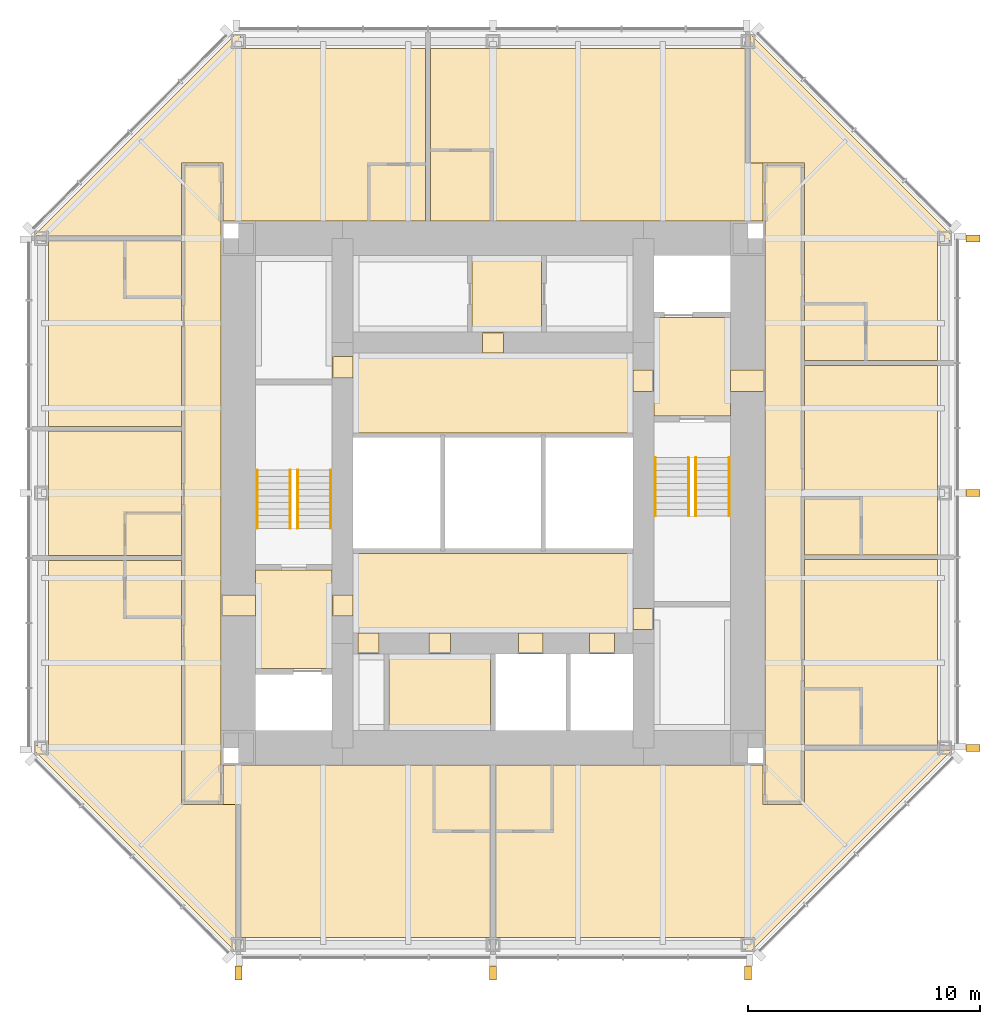
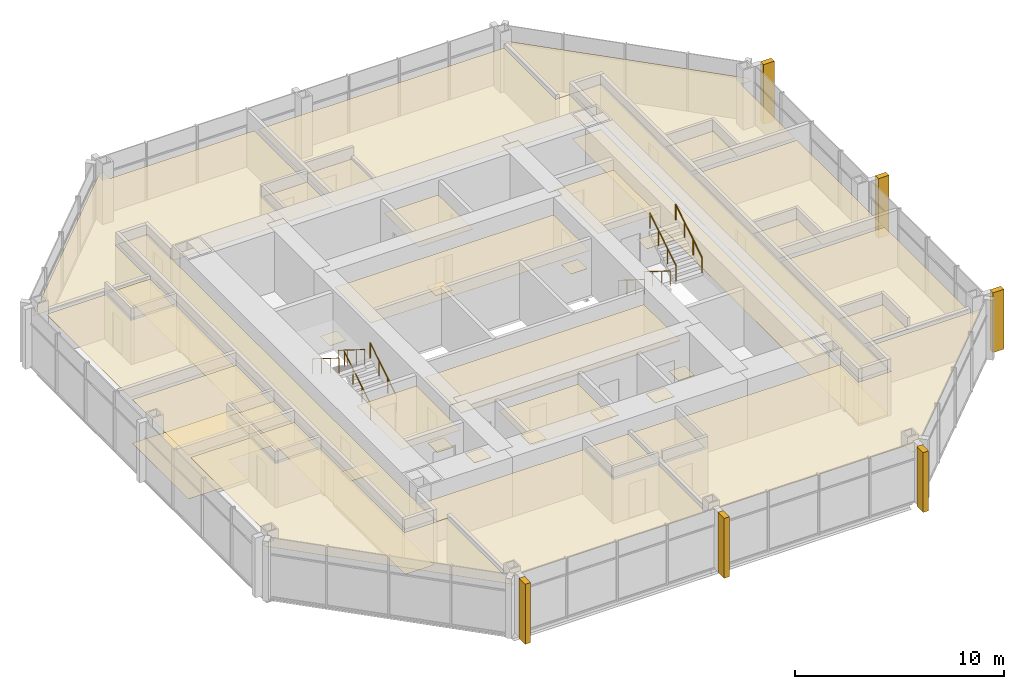
# One storey, part 11 of 11: 48 coverings, 8 railings.
"""IFC4 building model written with IfcOpenShell, lengths in metres."""

from ifc_helpers import new_model, si_unit, direction, frame, origin, origin_2d, place, context, subcontext, project, spatial, polyline, rectangle, circle, outline, extrude, material, layer, layer_set, type_object, element, save


model = new_model("IFC4")

# Units and contexts
model_context = context("Model", 3, precision=1e-05, world=origin(), true_north=direction((0.0, 1.0)))
body_context = subcontext(model_context, "Body", "Model", "MODEL_VIEW")
ifc_project = project(units=[si_unit("LENGTHUNIT", "METRE"), si_unit("AREAUNIT", "SQUARE_METRE"), si_unit("VOLUMEUNIT", "CUBIC_METRE"), si_unit("PLANEANGLEUNIT", "RADIAN"), si_unit("MASSUNIT", "GRAM", prefix="KILO")], contexts=[model_context])

# Site, building, storey
site_placement = place(None, origin())
site = spatial("IfcSite", under=ifc_project, at=site_placement, CompositionType="ELEMENT")
building_placement = place(site_placement, origin())
building = spatial("IfcBuilding", under=site, at=building_placement, Name="Trevanion Tower", CompositionType="ELEMENT")
storey_placement = place(building_placement, frame((0.0, 0.0, 232.699951171875)))
storey = spatial("IfcBuildingStorey", under=building, at=storey_placement, Name="L56", CompositionType="ELEMENT", Elevation=232.699951171875)

# Coverings
ifc_material_1 = material(Name="Fibrous plaster coffers on suspended steel grid", Category="steel")
ifc_layer_1 = layer(ifc_material_1, 0.050048828125)
ifc_layer_set_1 = layer_set([ifc_layer_1], Name="CL1 coffered fibrous plaster ceiling 50")
covering_type_1 = type_object("IfcCoveringType", Name="CL1 coffered fibrous plaster ceiling 50", PredefinedType="CEILING", material=ifc_layer_set_1)
covering_1_placement = place(storey_placement, frame((0.0, 0.0, 2.429931640625)))
element("IfcCovering", 1, at=covering_1_placement, inside=storey, type_object=covering_type_1, Name="CL1 L56-LBS", PredefinedType="CEILING", context=body_context, shape_type="SweptSolid", body=[
    extrude(outline(polyline([(6.050048828125, -6.050048828125), (6.050048828125, -2.60009765625), (-6.050048828125, -2.60009765625), (-6.050048828125, -6.050048828125), (6.050048828125, -6.050048828125)])), origin(), (0.0, 0.0, 1.0), 0.050048828125),
])
ifc_material_2 = material(Name="Mineral fibre acoustic tiles in exposed grid", Category="mineral fibre")
ifc_layer_2 = layer(ifc_material_2, 0.02001953125)
ifc_layer_set_2 = layer_set([ifc_layer_2], Name="CL2 acoustic tile ceiling 20")
covering_type_2 = type_object("IfcCoveringType", Name="CL2 acoustic tile ceiling 20", PredefinedType="CEILING", material=ifc_layer_set_2)
covering_2_placement = place(storey_placement, frame((0.0, 0.0, 2.4599609375)))
element("IfcCovering", 2, at=covering_2_placement, inside=storey, type_object=covering_type_2, Name="CL2 L56-LBN", PredefinedType="CEILING", context=body_context, shape_type="SweptSolid", body=[
    extrude(outline(polyline([(6.050048828125, 2.60009765625), (6.050048828125, 6.050048828125), (-6.050048828125, 6.050048828125), (-6.050048828125, 2.60009765625), (6.050048828125, 2.60009765625)])), origin(), (0.0, 0.0, 1.0), 0.02001953125),
])
covering_3_placement = place(storey_placement, frame((0.0, 0.0, 2.4599609375)))
element("IfcCovering", 3, at=covering_3_placement, inside=storey, type_object=covering_type_2, Name="CL2 L56-HKC", PredefinedType="CEILING", context=body_context, shape_type="SweptSolid", body=[
    extrude(outline(polyline([(2.10009765625, 6.949951171875), (2.10009765625, 10.25), (-0.89990234375, 10.25), (-0.89990234375, 6.949951171875), (2.10009765625, 6.949951171875)])), origin(), (0.0, 0.0, 1.0), 0.02001953125),
])
covering_4_placement = place(storey_placement, frame((0.0, 0.0, 2.633056640625)))
element("IfcCovering", 4, at=covering_4_placement, inside=storey, type_object=covering_type_2, Name="CL2 L56-CO1", PredefinedType="CEILING", context=body_context, shape_type="SweptSolid", body=[
    extrude(outline(polyline([(-11.75, 14.14990234375), (-11.75, -13.35009765625), (-13.35009765625, -13.35009765625), (-13.35009765625, 14.14990234375), (-11.75, 14.14990234375)])), origin(), (0.0, 0.0, 1.0), 0.02001953125),
])
covering_5_placement = place(storey_placement, frame((0.0, 0.0, 2.633056640625)))
element("IfcCovering", 5, at=covering_5_placement, inside=storey, type_object=covering_type_2, Name="CL2 L56-CO2", PredefinedType="CEILING", context=body_context, shape_type="SweptSolid", body=[
    extrude(outline(polyline([(11.75, -13.35009765625), (11.75, 14.14990234375), (13.35009765625, 14.14990234375), (13.35009765625, -13.35009765625), (11.75, -13.35009765625)])), origin(), (0.0, 0.0, 1.0), 0.02001953125),
])
ifc_material_3 = material(Name="Gypsum plasterboard on suspended metal furring", Category="gypsum")
ifc_layer_3 = layer(ifc_material_3, 0.012939453125)
ifc_layer_set_3 = layer_set([ifc_layer_3], Name="CL3 plasterboard ceiling 13")
covering_type_3 = type_object("IfcCoveringType", Name="CL3 plasterboard ceiling 13", PredefinedType="CEILING", material=ifc_layer_set_3)
covering_6_placement = place(storey_placement, frame((0.0, 0.0, 2.699951171875)))
element("IfcCovering", 6, at=covering_6_placement, inside=storey, type_object=covering_type_3, Name="CL3 L56-FV1", PredefinedType="CEILING", context=body_context, shape_type="SweptSolid", body=[
    extrude(outline(polyline([(10.25, 3.324951171875), (10.25, 7.574951171875), (6.949951171875, 7.574951171875), (6.949951171875, 3.324951171875), (10.25, 3.324951171875)])), origin(), (0.0, 0.0, 1.0), 0.01318359375),
])
covering_7_placement = place(storey_placement, frame((0.0, 0.0, 2.699951171875)))
element("IfcCovering", 7, at=covering_7_placement, inside=storey, type_object=covering_type_3, Name="CL3 L56-FV2", PredefinedType="CEILING", context=body_context, shape_type="SweptSolid", body=[
    extrude(outline(polyline([(-10.25, -3.324951171875), (-10.25, -7.574951171875), (-6.949951171875, -7.574951171875), (-6.949951171875, -3.324951171875), (-10.25, -3.324951171875)])), origin(), (0.0, 0.0, 1.0), 0.01318359375),
])
covering_8_placement = place(storey_placement, frame((0.0, 0.0, 2.551025390625)))
element("IfcCovering", 8, at=covering_8_placement, inside=storey, type_object=covering_type_3, Name="CL3 L56-GJ", PredefinedType="CEILING", context=body_context, shape_type="SweptSolid", body=[
    extrude(outline(polyline([(13.449951171875, -2.875), (19.199951171875, -2.875), (19.199951171875, -10.89990234375), (15.89990234375, -10.89990234375), (15.89990234375, -8.449951171875), (13.449951171875, -8.449951171875), (13.449951171875, -2.875)])), origin(), (0.0, 0.0, 1.0), 0.012939453125),
])
covering_9_placement = place(storey_placement, frame((0.0, 0.0, 2.551025390625)))
element("IfcCovering", 9, at=covering_9_placement, inside=storey, type_object=covering_type_3, Name="CL3 L56-GJ2", PredefinedType="CEILING", context=body_context, shape_type="SweptSolid", body=[
    extrude(outline(polyline([(13.449951171875, 5.513916015625), (19.199951171875, 5.513916015625), (19.199951171875, -2.675048828125), (15.89990234375, -2.675048828125), (15.89990234375, -0.22509765625), (13.449951171875, -0.22509765625), (13.449951171875, 5.513916015625)])), origin(), (0.0, 0.0, 1.0), 0.012939453125),
])
covering_10_placement = place(storey_placement, frame((0.0, 0.0, 2.551025390625)))
element("IfcCovering", 10, at=covering_10_placement, inside=storey, type_object=covering_type_3, Name="CL3 L56-GA", PredefinedType="CEILING", context=body_context, shape_type="SweptSolid", body=[
    extrude(outline(polyline([(11.10009765625, 14.25), (11.10009765625, 19.800048828125), (11.124267578125, 19.800048828125), (19.800048828125, 11.124267578125), (19.800048828125, 10.89990234375), (19.199951171875, 10.89990234375), (19.199951171875, 5.714111328125), (16.10009765625, 5.714111328125), (16.10009765625, 8.1640625), (13.449951171875, 8.1640625), (13.449951171875, 14.25), (11.10009765625, 14.25)])), origin(), (0.0, 0.0, 1.0), 0.012939453125),
])
covering_11_placement = place(storey_placement, frame((0.0, 0.0, 2.551025390625)))
element("IfcCovering", 11, at=covering_11_placement, inside=storey, type_object=covering_type_3, Name="CL3 L56-GY", PredefinedType="CEILING", context=body_context, shape_type="SweptSolid", body=[
    extrude(outline(polyline([(-2.70703125, 19.199951171875), (10.89990234375, 19.199951171875), (10.89990234375, 14.25), (11.64990234375, 14.25), (11.64990234375, 11.75), (-0.056884765625, 11.75), (-0.056884765625, 14.800048828125), (-2.70703125, 14.800048828125), (-2.70703125, 19.199951171875)])), origin(), (0.0, 0.0, 1.0), 0.012939453125),
])
covering_12_placement = place(storey_placement, frame((0.0, 0.0, 2.551025390625)))
element("IfcCovering", 12, at=covering_12_placement, inside=storey, type_object=covering_type_3, Name="CL3 L56-GJ3", PredefinedType="CEILING", context=body_context, shape_type="SweptSolid", body=[
    extrude(outline(polyline([(-13.449951171875, 11.10009765625), (-19.800048828125, 11.10009765625), (-19.800048828125, 11.124267578125), (-11.124267578125, 19.800048828125), (-10.89990234375, 19.800048828125), (-10.89990234375, 19.199951171875), (-2.906982421875, 19.199951171875), (-2.906982421875, 14.199951171875), (-5.35693359375, 14.199951171875), (-5.35693359375, 11.75), (-11.64990234375, 11.75), (-11.64990234375, 14.25), (-13.449951171875, 14.25), (-13.449951171875, 11.10009765625)])), origin(), (0.0, 0.0, 1.0), 0.012939453125),
])
covering_13_placement = place(storey_placement, frame((0.0, 0.0, 2.551025390625)))
element("IfcCovering", 13, at=covering_13_placement, inside=storey, type_object=covering_type_3, Name="CL3 L56-GJ4", PredefinedType="CEILING", context=body_context, shape_type="SweptSolid", body=[
    extrude(outline(polyline([(-13.449951171875, 2.875), (-19.199951171875, 2.875), (-19.199951171875, 10.89990234375), (-15.89990234375, 10.89990234375), (-15.89990234375, 8.449951171875), (-13.449951171875, 8.449951171875), (-13.449951171875, 2.875)])), origin(), (0.0, 0.0, 1.0), 0.012939453125),
])
covering_14_placement = place(storey_placement, frame((0.0, 0.0, 2.551025390625)))
element("IfcCovering", 14, at=covering_14_placement, inside=storey, type_object=covering_type_3, Name="CL3 L56-GR", PredefinedType="CEILING", context=body_context, shape_type="SweptSolid", body=[
    extrude(outline(polyline([(-13.449951171875, -0.85693359375), (-15.89990234375, -0.85693359375), (-15.89990234375, -2.70703125), (-19.199951171875, -2.70703125), (-19.199951171875, 2.675048828125), (-13.449951171875, 2.675048828125), (-13.449951171875, -0.85693359375)])), origin(), (0.0, 0.0, 1.0), 0.012939453125),
])
covering_15_placement = place(storey_placement, frame((0.0, 0.0, 2.551025390625)))
element("IfcCovering", 15, at=covering_15_placement, inside=storey, type_object=covering_type_3, Name="CL3 L56-GJ5", PredefinedType="CEILING", context=body_context, shape_type="SweptSolid", body=[
    extrude(outline(polyline([(-11.10009765625, -13.449951171875), (-11.10009765625, -19.800048828125), (-11.124267578125, -19.800048828125), (-19.800048828125, -11.124267578125), (-19.800048828125, -10.89990234375), (-19.199951171875, -10.89990234375), (-19.199951171875, -2.906982421875), (-15.89990234375, -2.906982421875), (-15.89990234375, -5.35693359375), (-13.449951171875, -5.35693359375), (-13.449951171875, -13.449951171875), (-11.10009765625, -13.449951171875)])), origin(), (0.0, 0.0, 1.0), 0.012939453125),
])
covering_16_placement = place(storey_placement, frame((0.0, 0.0, 2.551025390625)))
element("IfcCovering", 16, at=covering_16_placement, inside=storey, type_object=covering_type_3, Name="CL3 L56-GB", PredefinedType="CEILING", context=body_context, shape_type="SweptSolid", body=[
    extrude(outline(polyline([(-0.10009765625, -19.199951171875), (-10.89990234375, -19.199951171875), (-10.89990234375, -13.449951171875), (-11.64990234375, -13.449951171875), (-11.64990234375, -11.75), (-2.550048828125, -11.75), (-2.550048828125, -14.60009765625), (-0.10009765625, -14.60009765625), (-0.10009765625, -19.199951171875)])), origin(), (0.0, 0.0, 1.0), 0.012939453125),
])
covering_17_placement = place(storey_placement, frame((0.0, 0.0, 2.551025390625)))
element("IfcCovering", 17, at=covering_17_placement, inside=storey, type_object=covering_type_3, Name="CL3 L56-GB2", PredefinedType="CEILING", context=body_context, shape_type="SweptSolid", body=[
    extrude(outline(polyline([(13.449951171875, -11.10009765625), (19.800048828125, -11.10009765625), (19.800048828125, -11.124267578125), (11.124267578125, -19.800048828125), (10.89990234375, -19.800048828125), (10.89990234375, -19.199951171875), (0.10009765625, -19.199951171875), (0.10009765625, -14.60009765625), (2.550048828125, -14.60009765625), (2.550048828125, -11.75), (11.64990234375, -11.75), (11.64990234375, -13.449951171875), (13.449951171875, -13.449951171875), (13.449951171875, -11.10009765625)])), origin(), (0.0, 0.0, 1.0), 0.012939453125),
])
ifc_material_4 = material(Name="Moisture-resistant gypsum board on suspended metal furring", Category="gypsum")
ifc_layer_4 = layer(ifc_material_4, 0.01611328125)
ifc_layer_set_4 = layer_set([ifc_layer_4], Name="CL4 moisture-resistant board ceiling 16")
covering_type_4 = type_object("IfcCoveringType", Name="CL4 moisture-resistant board ceiling 16", PredefinedType="CEILING", material=ifc_layer_set_4)
covering_18_placement = place(storey_placement, frame((0.0, 0.0, 2.60009765625)))
element("IfcCovering", 18, at=covering_18_placement, inside=storey, type_object=covering_type_4, Name="CL4 L56-SI2", PredefinedType="CEILING", context=body_context, shape_type="SweptSolid", body=[
    extrude(outline(polyline([(-0.10009765625, -10.25), (-0.10009765625, -6.949951171875), (-4.5, -6.949951171875), (-4.5, -10.25), (-0.10009765625, -10.25)])), origin(), (0.0, 0.0, 1.0), 0.015869140625),
])
covering_19_placement = place(storey_placement, frame((0.0, 0.0, 2.60009765625)))
element("IfcCovering", 19, at=covering_19_placement, inside=storey, type_object=covering_type_4, Name="CL4 L56-EN", PredefinedType="CEILING", context=body_context, shape_type="SweptSolid", body=[
    extrude(outline(polyline([(15.85009765625, -10.89990234375), (15.85009765625, -8.5), (13.449951171875, -8.5), (13.449951171875, -10.89990234375), (15.85009765625, -10.89990234375)])), origin(), (0.0, 0.0, 1.0), 0.015869140625),
])
covering_20_placement = place(storey_placement, frame((0.0, 0.0, 2.60009765625)))
element("IfcCovering", 20, at=covering_20_placement, inside=storey, type_object=covering_type_4, Name="CL4 L56-EN2", PredefinedType="CEILING", context=body_context, shape_type="SweptSolid", body=[
    extrude(outline(polyline([(15.85009765625, -2.675048828125), (15.85009765625, -0.27490234375), (13.449951171875, -0.27490234375), (13.449951171875, -2.675048828125), (15.85009765625, -2.675048828125)])), origin(), (0.0, 0.0, 1.0), 0.015869140625),
])
covering_21_placement = place(storey_placement, frame((0.0, 0.0, 2.60009765625)))
element("IfcCovering", 21, at=covering_21_placement, inside=storey, type_object=covering_type_4, Name="CL4 L56-EN3", PredefinedType="CEILING", context=body_context, shape_type="SweptSolid", body=[
    extrude(outline(polyline([(16.050048828125, 5.714111328125), (16.050048828125, 8.114013671875), (13.449951171875, 8.114013671875), (13.449951171875, 5.714111328125), (16.050048828125, 5.714111328125)])), origin(), (0.0, 0.0, 1.0), 0.015869140625),
])
covering_22_placement = place(storey_placement, frame((0.0, 0.0, 2.60009765625)))
element("IfcCovering", 22, at=covering_22_placement, inside=storey, type_object=covering_type_4, Name="CL4 L56-EN4", PredefinedType="CEILING", context=body_context, shape_type="SweptSolid", body=[
    extrude(outline(polyline([(-0.10693359375, 14.75), (-2.70703125, 14.75), (-2.70703125, 11.75), (-0.10693359375, 11.75), (-0.10693359375, 14.75)])), origin(), (0.0, 0.0, 1.0), 0.015869140625),
])
covering_23_placement = place(storey_placement, frame((0.0, 0.0, 2.60009765625)))
element("IfcCovering", 23, at=covering_23_placement, inside=storey, type_object=covering_type_4, Name="CL4 L56-EN5", PredefinedType="CEILING", context=body_context, shape_type="SweptSolid", body=[
    extrude(outline(polyline([(-2.906982421875, 14.14990234375), (-5.306884765625, 14.14990234375), (-5.306884765625, 11.75), (-2.906982421875, 11.75), (-2.906982421875, 14.14990234375)])), origin(), (0.0, 0.0, 1.0), 0.015869140625),
])
covering_24_placement = place(storey_placement, frame((0.0, 0.0, 2.60009765625)))
element("IfcCovering", 24, at=covering_24_placement, inside=storey, type_object=covering_type_4, Name="CL4 L56-EN6", PredefinedType="CEILING", context=body_context, shape_type="SweptSolid", body=[
    extrude(outline(polyline([(-15.85009765625, 10.89990234375), (-15.85009765625, 8.5), (-13.449951171875, 8.5), (-13.449951171875, 10.89990234375), (-15.85009765625, 10.89990234375)])), origin(), (0.0, 0.0, 1.0), 0.015869140625),
])
covering_25_placement = place(storey_placement, frame((0.0, 0.0, 2.60009765625)))
element("IfcCovering", 25, at=covering_25_placement, inside=storey, type_object=covering_type_4, Name="CL4 L56-EN7", PredefinedType="CEILING", context=body_context, shape_type="SweptSolid", body=[
    extrude(outline(polyline([(-15.85009765625, -0.906982421875), (-15.85009765625, -2.70703125), (-13.449951171875, -2.70703125), (-13.449951171875, -0.906982421875), (-15.85009765625, -0.906982421875)])), origin(), (0.0, 0.0, 1.0), 0.015869140625),
])
covering_26_placement = place(storey_placement, frame((0.0, 0.0, 2.60009765625)))
element("IfcCovering", 26, at=covering_26_placement, inside=storey, type_object=covering_type_4, Name="CL4 L56-EN8", PredefinedType="CEILING", context=body_context, shape_type="SweptSolid", body=[
    extrude(outline(polyline([(-15.85009765625, -2.906982421875), (-15.85009765625, -5.306884765625), (-13.449951171875, -5.306884765625), (-13.449951171875, -2.906982421875), (-15.85009765625, -2.906982421875)])), origin(), (0.0, 0.0, 1.0), 0.015869140625),
])
covering_27_placement = place(storey_placement, frame((0.0, 0.0, 2.60009765625)))
element("IfcCovering", 27, at=covering_27_placement, inside=storey, type_object=covering_type_4, Name="CL4 L56-EN9", PredefinedType="CEILING", context=body_context, shape_type="SweptSolid", body=[
    extrude(outline(polyline([(-2.5, -14.550048828125), (-0.10009765625, -14.550048828125), (-0.10009765625, -11.75), (-2.5, -11.75), (-2.5, -14.550048828125)])), origin(), (0.0, 0.0, 1.0), 0.015869140625),
])
covering_28_placement = place(storey_placement, frame((0.0, 0.0, 2.60009765625)))
element("IfcCovering", 28, at=covering_28_placement, inside=storey, type_object=covering_type_4, Name="CL4 L56-EN10", PredefinedType="CEILING", context=body_context, shape_type="SweptSolid", body=[
    extrude(outline(polyline([(0.10009765625, -14.550048828125), (2.5, -14.550048828125), (2.5, -11.75), (0.10009765625, -11.75), (0.10009765625, -14.550048828125)])), origin(), (0.0, 0.0, 1.0), 0.015869140625),
])
ifc_material_5 = material(Name="Cast bronze fin on aluminium carrier", Category="aluminium")
covering_type_5 = type_object("IfcCoveringType", Name="F1 bronze fin", PredefinedType="CLADDING", material=ifc_material_5)
for number, where, z_axis, x_axis, name in (
    (29, (20.72509765625, -11.0, -0.18994140625), (0.0, 0.0, 1.0), (0.0, 1.0, 0.0), "F1 L56 east -11.0"),
    (30, (20.72509765625, 0.0, -0.18994140625), (0.0, 0.0, 1.0), (0.0, 1.0, 0.0), "F1 L56 east +0.0"),
    (31, (20.72509765625, 11.0, -0.18994140625), (0.0, 0.0, 1.0), (0.0, 1.0, 0.0), "F1 L56 east +11.0"),
    (32, (-11.0, -20.72509765625, -0.18994140625), (0.0, 0.0, 1.0), (1.0, 0.0, 0.0), "F1 L56 south -11.0"),
    (33, (0.0, -20.72509765625, -0.18994140625), (0.0, 0.0, 1.0), (1.0, 0.0, 0.0), "F1 L56 south +0.0"),
    (34, (11.0, -20.72509765625, -0.18994140625), (0.0, 0.0, 1.0), (1.0, 0.0, 0.0), "F1 L56 south +11.0"),
):
    element("IfcCovering", number, at=place(storey_placement, frame(where, z_axis=z_axis, x_axis=x_axis)), inside=storey, type_object=covering_type_5, Name=name, PredefinedType="CLADDING", context=body_context, shape_type="SweptSolid", body=[
        extrude(rectangle(XDim=0.300048828125, YDim=0.60009765625, at=origin_2d()), origin(), (0.0, 0.0, 1.0), 3.5),
    ])
ifc_material_6 = material(Name="Terrazzo, brass divider strips", Category="stone")
ifc_layer_5 = layer(ifc_material_6, 0.02001953125)
ifc_layer_set_5 = layer_set([ifc_layer_5], Name="FF1 terrazzo flooring")
covering_type_6 = type_object("IfcCoveringType", Name="FF1 terrazzo flooring", PredefinedType="FLOORING", material=ifc_layer_set_5)
covering_29_placement = place(storey_placement, origin())
element("IfcCovering", 35, at=covering_29_placement, inside=storey, type_object=covering_type_6, Name="FF1 threshold 56-001", PredefinedType="FLOORING", context=body_context, shape_type="SweptSolid", body=[
    extrude(outline(polyline([(11.75, 4.392578125), (11.75, 5.3076171875), (10.25, 5.3076171875), (10.25, 4.392578125), (11.75, 4.392578125)])), origin(), (0.0, 0.0, 1.0), 0.02001953125),
])
covering_30_placement = place(storey_placement, origin())
element("IfcCovering", 36, at=covering_30_placement, inside=storey, type_object=covering_type_6, Name="FF1 threshold 56-002", PredefinedType="FLOORING", context=body_context, shape_type="SweptSolid", body=[
    extrude(outline(polyline([(-11.75, -4.392578125), (-11.75, -5.3076171875), (-10.25, -5.3076171875), (-10.25, -4.392578125), (-11.75, -4.392578125)])), origin(), (0.0, 0.0, 1.0), 0.02001953125),
])
covering_31_placement = place(storey_placement, origin())
element("IfcCovering", 37, at=covering_31_placement, inside=storey, type_object=covering_type_6, Name="FF1 threshold 56-003", PredefinedType="FLOORING", context=body_context, shape_type="SweptSolid", body=[
    extrude(outline(polyline([(6.949951171875, 4.392578125), (6.949951171875, 5.3076171875), (6.050048828125, 5.3076171875), (6.050048828125, 4.392578125), (6.949951171875, 4.392578125)])), origin(), (0.0, 0.0, 1.0), 0.02001953125),
])
covering_32_placement = place(storey_placement, origin())
element("IfcCovering", 38, at=covering_32_placement, inside=storey, type_object=covering_type_6, Name="FF1 threshold 56-004", PredefinedType="FLOORING", context=body_context, shape_type="SweptSolid", body=[
    extrude(outline(polyline([(-6.949951171875, -4.392578125), (-6.949951171875, -5.3076171875), (-6.050048828125, -5.3076171875), (-6.050048828125, -4.392578125), (-6.949951171875, -4.392578125)])), origin(), (0.0, 0.0, 1.0), 0.02001953125),
])
covering_33_placement = place(storey_placement, origin())
element("IfcCovering", 39, at=covering_33_placement, inside=storey, type_object=covering_type_6, Name="FF1 threshold 56-009", PredefinedType="FLOORING", context=body_context, shape_type="SweptSolid", body=[
    extrude(outline(polyline([(6.949951171875, -5.889892578125), (6.949951171875, -4.97509765625), (6.050048828125, -4.97509765625), (6.050048828125, -5.889892578125), (6.949951171875, -5.889892578125)])), origin(), (0.0, 0.0, 1.0), 0.02001953125),
])
covering_34_placement = place(storey_placement, origin())
element("IfcCovering", 40, at=covering_34_placement, inside=storey, type_object=covering_type_6, Name="FF1 threshold 56-010", PredefinedType="FLOORING", context=body_context, shape_type="SweptSolid", body=[
    extrude(outline(polyline([(-6.949951171875, 5.889892578125), (-6.949951171875, 4.97509765625), (-6.050048828125, 4.97509765625), (-6.050048828125, 5.889892578125), (-6.949951171875, 5.889892578125)])), origin(), (0.0, 0.0, 1.0), 0.02001953125),
])
covering_35_placement = place(storey_placement, origin())
element("IfcCovering", 41, at=covering_35_placement, inside=storey, type_object=covering_type_6, Name="FF1 threshold 56-011", PredefinedType="FLOORING", context=body_context, shape_type="SweptSolid", body=[
    extrude(outline(polyline([(1.091552734375, -6.949951171875), (2.158447265625, -6.949951171875), (2.158447265625, -6.050048828125), (1.091552734375, -6.050048828125), (1.091552734375, -6.949951171875)])), origin(), (0.0, 0.0, 1.0), 0.02001953125),
])
covering_36_placement = place(storey_placement, origin())
element("IfcCovering", 42, at=covering_36_placement, inside=storey, type_object=covering_type_6, Name="FF1 threshold 56-012", PredefinedType="FLOORING", context=body_context, shape_type="SweptSolid", body=[
    extrude(outline(polyline([(4.16650390625, -6.949951171875), (5.2333984375, -6.949951171875), (5.2333984375, -6.050048828125), (4.16650390625, -6.050048828125), (4.16650390625, -6.949951171875)])), origin(), (0.0, 0.0, 1.0), 0.02001953125),
])
covering_37_placement = place(storey_placement, origin())
element("IfcCovering", 43, at=covering_37_placement, inside=storey, type_object=covering_type_6, Name="FF1 threshold 56-013", PredefinedType="FLOORING", context=body_context, shape_type="SweptSolid", body=[
    extrude(outline(polyline([(-5.83251953125, -6.949951171875), (-4.91748046875, -6.949951171875), (-4.91748046875, -6.050048828125), (-5.83251953125, -6.050048828125), (-5.83251953125, -6.949951171875)])), origin(), (0.0, 0.0, 1.0), 0.02001953125),
])
covering_38_placement = place(storey_placement, origin())
element("IfcCovering", 44, at=covering_38_placement, inside=storey, type_object=covering_type_6, Name="FF1 threshold 56-014", PredefinedType="FLOORING", context=body_context, shape_type="SweptSolid", body=[
    extrude(outline(polyline([(-2.757568359375, -6.949951171875), (-1.842529296875, -6.949951171875), (-1.842529296875, -6.050048828125), (-2.757568359375, -6.050048828125), (-2.757568359375, -6.949951171875)])), origin(), (0.0, 0.0, 1.0), 0.02001953125),
])
covering_39_placement = place(storey_placement, origin())
element("IfcCovering", 45, at=covering_39_placement, inside=storey, type_object=covering_type_6, Name="FF1 threshold 56-015", PredefinedType="FLOORING", context=body_context, shape_type="SweptSolid", body=[
    extrude(outline(polyline([(0.45751953125, 6.949951171875), (-0.45751953125, 6.949951171875), (-0.45751953125, 6.050048828125), (0.45751953125, 6.050048828125), (0.45751953125, 6.949951171875)])), origin(), (0.0, 0.0, 1.0), 0.02001953125),
])
ifc_material_7 = material(Name="Wool carpet on underlay", Category="textile")
ifc_layer_6 = layer(ifc_material_7, 0.011962890625)
ifc_layer_set_6 = layer_set([ifc_layer_6], Name="FF2 carpet flooring")
covering_type_7 = type_object("IfcCoveringType", Name="FF2 carpet flooring", PredefinedType="FLOORING", material=ifc_layer_set_6)
covering_40_placement = place(storey_placement, origin())
element("IfcCovering", 46, at=covering_40_placement, inside=storey, type_object=covering_type_7, Name="FF2 L56-CO1", PredefinedType="FLOORING", context=body_context, shape_type="SweptSolid", body=[
    extrude(outline(polyline([(-11.75, 14.14990234375), (-11.75, -13.35009765625), (-13.35009765625, -13.35009765625), (-13.35009765625, 14.14990234375), (-11.75, 14.14990234375)])), origin(), (0.0, 0.0, 1.0), 0.011962890625),
])
covering_41_placement = place(storey_placement, origin())
element("IfcCovering", 47, at=covering_41_placement, inside=storey, type_object=covering_type_7, Name="FF2 L56-CO2", PredefinedType="FLOORING", context=body_context, shape_type="SweptSolid", body=[
    extrude(outline(polyline([(11.75, -13.35009765625), (11.75, 14.14990234375), (13.35009765625, 14.14990234375), (13.35009765625, -13.35009765625), (11.75, -13.35009765625)])), origin(), (0.0, 0.0, 1.0), 0.011962890625),
])
covering_42_placement = place(storey_placement, origin())
element("IfcCovering", 48, at=covering_42_placement, inside=storey, type_object=covering_type_7, Name="FF2 L56-GR", PredefinedType="FLOORING", context=body_context, shape_type="SweptSolid", body=[
    extrude(outline(polyline([(-13.449951171875, -0.85693359375), (-15.89990234375, -0.85693359375), (-15.89990234375, -2.70703125), (-19.199951171875, -2.70703125), (-19.199951171875, 2.675048828125), (-13.449951171875, 2.675048828125), (-13.449951171875, -0.85693359375)])), origin(), (0.0, 0.0, 1.0), 0.011962890625),
])

# Railings
ifc_material_8 = material(Name="Stainless steel tube 40 mm", Category="steel")
railing_type = type_object("IfcRailingType", Name="HR1 handrail", PredefinedType="HANDRAIL", material=ifc_material_8)
for number, where, name in (
    (49, (7.010009765625, 1.52490234375, 0.175048828125), "HR1 ST1 L56 flight 1"),
    (50, (8.43994140625, 1.52490234375, 0.175048828125), "HR1 ST1 L56 flight 1"),
):
    element("IfcRailing", number, at=place(storey_placement, frame(where)), inside=storey, type_object=railing_type, Name=name, PredefinedType="HANDRAIL", context=body_context, shape_type="SweptSolid", body=[
        extrude(circle(Radius=0.02001953125, at=origin_2d()), frame((0.0, 0.0, 0.8798828125), z_axis=(0.0, -0.848007534815, 0.529984170421), x_axis=(1.0, 0.0, 0.0)), (0.0, 0.0, 1.0), 2.9716796875),
        extrude(circle(Radius=0.01513671875, at=origin_2d()), origin(), (0.0, 0.0, 1.0), 0.85986328125),
        extrude(circle(Radius=0.01513671875, at=origin_2d()), frame((0.0, -0.840087890625, 0.52490234375)), (0.0, 0.0, 1.0), 0.85986328125),
        extrude(circle(Radius=0.01513671875, at=origin_2d()), frame((0.0, -1.679931640625, 1.050048828125)), (0.0, 0.0, 1.0), 0.85986328125),
        extrude(circle(Radius=0.01513671875, at=origin_2d()), frame((0.0, -2.52001953125, 1.574951171875)), (0.0, 0.0, 1.0), 0.85986328125),
    ])
for number, where, name in (
    (51, (8.760009765625, -0.9951171875, 1.925048828125), "HR1 ST1 L56 flight 2"),
    (52, (10.18994140625, -0.9951171875, 1.925048828125), "HR1 ST1 L56 flight 2"),
    (53, (-7.010009765625, -1.52490234375, 0.175048828125), "HR1 ST2 L56 flight 1"),
    (54, (-8.43994140625, -1.52490234375, 0.175048828125), "HR1 ST2 L56 flight 1"),
):
    element("IfcRailing", number, at=place(storey_placement, frame(where)), inside=storey, type_object=railing_type, Name=name, PredefinedType="HANDRAIL", context=body_context, shape_type="SweptSolid", body=[
        extrude(circle(Radius=0.02001953125, at=origin_2d()), frame((0.0, 0.0, 0.8798828125), z_axis=(0.0, 0.848007534815, 0.529984170421), x_axis=(-1.0, 0.0, 0.0)), (0.0, 0.0, 1.0), 2.9716796875),
        extrude(circle(Radius=0.01513671875, at=origin_2d()), origin(), (0.0, 0.0, 1.0), 0.85986328125),
        extrude(circle(Radius=0.01513671875, at=origin_2d()), frame((0.0, 0.840087890625, 0.52490234375)), (0.0, 0.0, 1.0), 0.85986328125),
        extrude(circle(Radius=0.01513671875, at=origin_2d()), frame((0.0, 1.679931640625, 1.050048828125)), (0.0, 0.0, 1.0), 0.85986328125),
        extrude(circle(Radius=0.01513671875, at=origin_2d()), frame((0.0, 2.52001953125, 1.574951171875)), (0.0, 0.0, 1.0), 0.85986328125),
    ])
for number, where, name in (
    (55, (-8.760009765625, 0.9951171875, 1.925048828125), "HR1 ST2 L56 flight 2"),
    (56, (-10.18994140625, 0.9951171875, 1.925048828125), "HR1 ST2 L56 flight 2"),
):
    element("IfcRailing", number, at=place(storey_placement, frame(where)), inside=storey, type_object=railing_type, Name=name, PredefinedType="HANDRAIL", context=body_context, shape_type="SweptSolid", body=[
        extrude(circle(Radius=0.02001953125, at=origin_2d()), frame((0.0, 0.0, 0.8798828125), z_axis=(0.0, -0.848007534815, 0.529984170421), x_axis=(1.0, 0.0, 0.0)), (0.0, 0.0, 1.0), 2.9716796875),
        extrude(circle(Radius=0.01513671875, at=origin_2d()), origin(), (0.0, 0.0, 1.0), 0.85986328125),
        extrude(circle(Radius=0.01513671875, at=origin_2d()), frame((0.0, -0.840087890625, 0.52490234375)), (0.0, 0.0, 1.0), 0.85986328125),
        extrude(circle(Radius=0.01513671875, at=origin_2d()), frame((0.0, -1.679931640625, 1.050048828125)), (0.0, 0.0, 1.0), 0.85986328125),
        extrude(circle(Radius=0.01513671875, at=origin_2d()), frame((0.0, -2.52001953125, 1.574951171875)), (0.0, 0.0, 1.0), 0.85986328125),
    ])

save(model, "model.ifc")
